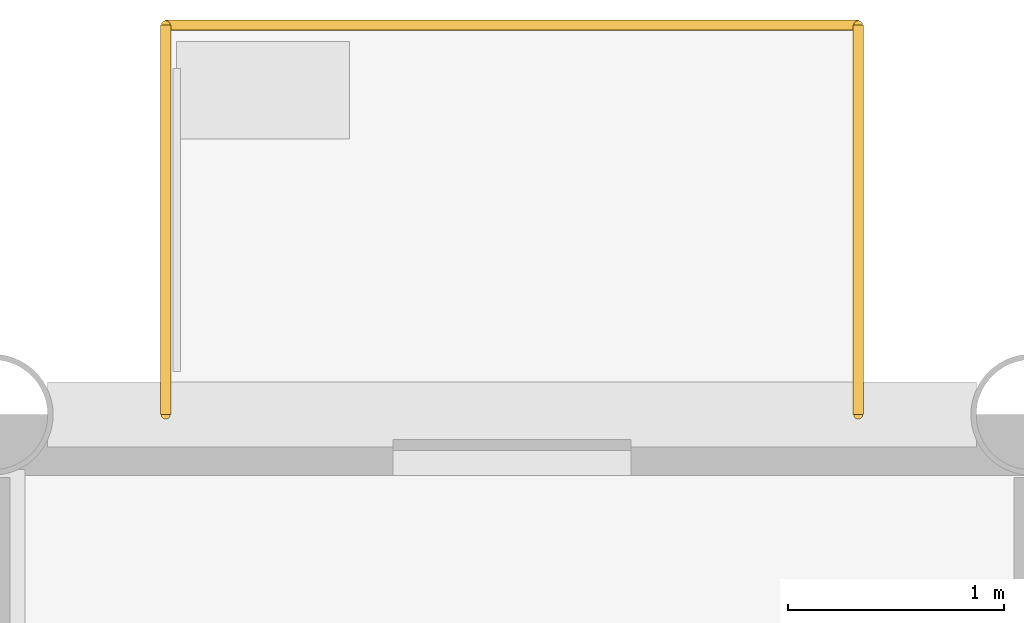
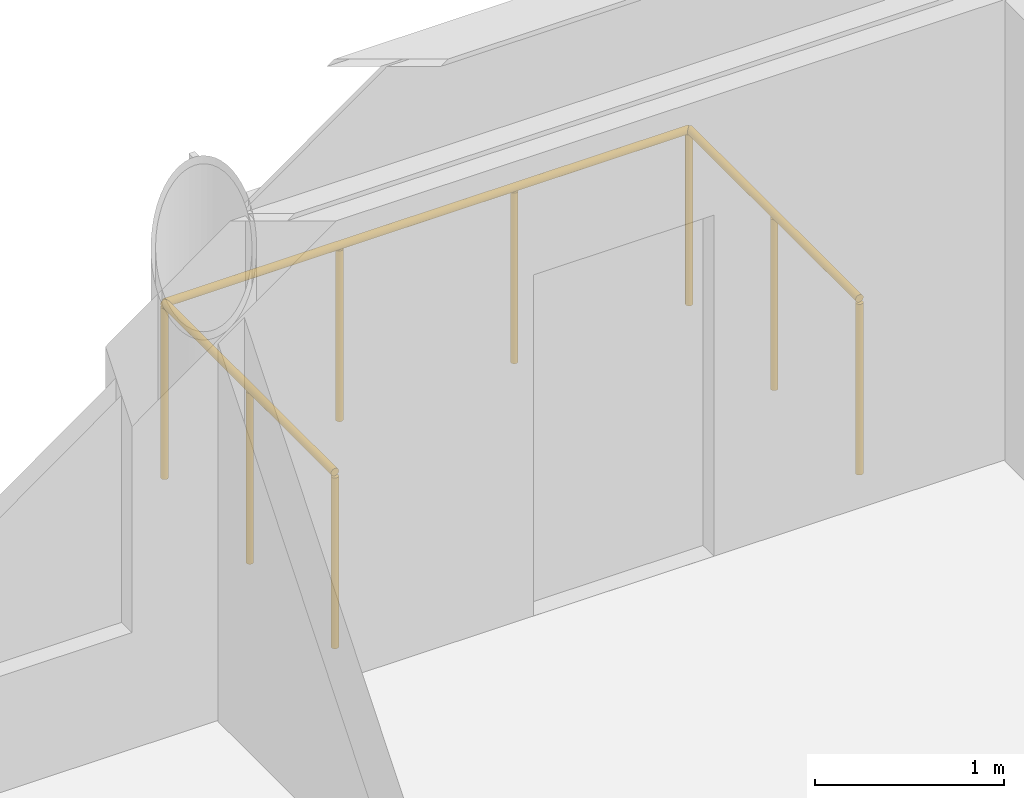
# One storey, part 23 of 23: 3 railings.
"""IFC4 building model written with IfcOpenShell, lengths in metres."""

from ifc_helpers import new_model, si_unit, direction, frame, origin, origin_2d, place, context, subcontext, project, spatial, circle, extrude, material, layer, layer_set, type_object, element, save


model = new_model("IFC4")

# Units and contexts
model_context = context("Model", 3, precision=1e-05, world=origin(), true_north=direction((0.0, 1.0)))
body_context = subcontext(model_context, "Body", "Model", "MODEL_VIEW")
ifc_project = project(units=[si_unit("LENGTHUNIT", "METRE"), si_unit("AREAUNIT", "SQUARE_METRE"), si_unit("VOLUMEUNIT", "CUBIC_METRE"), si_unit("PLANEANGLEUNIT", "RADIAN"), si_unit("MASSUNIT", "GRAM", prefix="KILO")], contexts=[model_context])

# Site, building, storey
site_placement = place(None, origin())
site = spatial("IfcSite", under=ifc_project, at=site_placement, CompositionType="ELEMENT")
building_placement = place(site_placement, origin())
building = spatial("IfcBuilding", under=site, at=building_placement, Name="Kallvorn Hotel Tower", CompositionType="ELEMENT")
storey_placement = place(building_placement, frame((0.0, 0.0, 195.35009765625)))
storey = spatial("IfcBuildingStorey", under=building, at=storey_placement, Name="L48", CompositionType="ELEMENT", Elevation=195.35009765625)

# Railings
ifc_material = material(Name="Galvanised painted steel S275JR balustrade", Category="steel")
ifc_layer = layer(ifc_material, 0.06005859375)
ifc_layer_set = layer_set([ifc_layer], Name="RL_BALUSTRADE_1150")
railing_type = type_object("IfcRailingType", Name="RL_BALUSTRADE_1150", PredefinedType="BALUSTRADE", material=ifc_layer_set)
railing_1_placement = place(storey_placement, frame((-13.60009765625, 19.199951171875, 0.0)))
element("IfcRailing", 1, at=railing_1_placement, inside=storey, type_object=railing_type, Name="L48 Exterior Safety Guardrail BALC-L48-N1-01", PredefinedType="BALUSTRADE", context=body_context, shape_type="SweptSolid", body=[
    extrude(circle(Radius=0.02392578125, at=origin_2d()), frame((0.0, 0.0, 1.1259765625), z_axis=(0.0, 1.0, 0.0), x_axis=(-1.0, 0.0, 0.0)), (0.0, 0.0, 1.0), 1.800048828125),
    extrude(circle(Radius=0.02099609375, at=origin_2d()), origin(), (0.0, 0.0, 1.0), 1.101806640625),
    extrude(circle(Radius=0.02099609375, at=origin_2d()), frame((0.0, 0.89990234375, 0.0)), (0.0, 0.0, 1.0), 1.101806640625),
    extrude(circle(Radius=0.02099609375, at=origin_2d()), frame((0.0, 1.800048828125, 0.0)), (0.0, 0.0, 1.0), 1.101806640625),
])
railing_2_placement = place(storey_placement, frame((-13.60009765625, 21.0, 0.0)))
element("IfcRailing", 2, at=railing_2_placement, inside=storey, type_object=railing_type, Name="L48 Exterior Safety Guardrail BALC-L48-N1-02", PredefinedType="BALUSTRADE", context=body_context, shape_type="SweptSolid", body=[
    extrude(circle(Radius=0.02392578125, at=origin_2d()), frame((0.0, 0.0, 1.1259765625), z_axis=(1.0, 0.0, 0.0), x_axis=(0.0, 1.0, 0.0)), (0.0, 0.0, 1.0), 3.2001953125),
    extrude(circle(Radius=0.02099609375, at=origin_2d()), origin(), (0.0, 0.0, 1.0), 1.101806640625),
    extrude(circle(Radius=0.02099609375, at=origin_2d()), frame((1.066650390625, 0.0, 0.0)), (0.0, 0.0, 1.0), 1.101806640625),
    extrude(circle(Radius=0.02099609375, at=origin_2d()), frame((2.133544921875, 0.0, 0.0)), (0.0, 0.0, 1.0), 1.101806640625),
    extrude(circle(Radius=0.02099609375, at=origin_2d()), frame((3.2001953125, 0.0, 0.0)), (0.0, 0.0, 1.0), 1.101806640625),
])
railing_3_placement = place(storey_placement, frame((-10.39990234375, 21.0, 0.0)))
element("IfcRailing", 3, at=railing_3_placement, inside=storey, type_object=railing_type, Name="L48 Exterior Safety Guardrail BALC-L48-N1-03", PredefinedType="BALUSTRADE", context=body_context, shape_type="SweptSolid", body=[
    extrude(circle(Radius=0.02392578125, at=origin_2d()), frame((0.0, 0.0, 1.1259765625), z_axis=(0.0, -1.0, 0.0), x_axis=(1.0, 0.0, 0.0)), (0.0, 0.0, 1.0), 1.800048828125),
    extrude(circle(Radius=0.02099609375, at=origin_2d()), origin(), (0.0, 0.0, 1.0), 1.101806640625),
    extrude(circle(Radius=0.02099609375, at=origin_2d()), frame((0.0, -0.89990234375, 0.0)), (0.0, 0.0, 1.0), 1.101806640625),
    extrude(circle(Radius=0.02099609375, at=origin_2d()), frame((0.0, -1.800048828125, 0.0)), (0.0, 0.0, 1.0), 1.101806640625),
])

save(model, "model.ifc")
